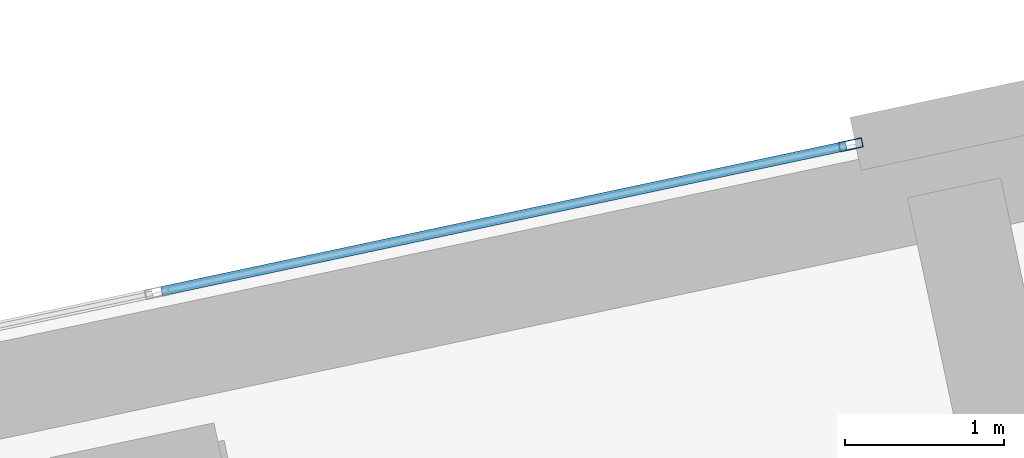
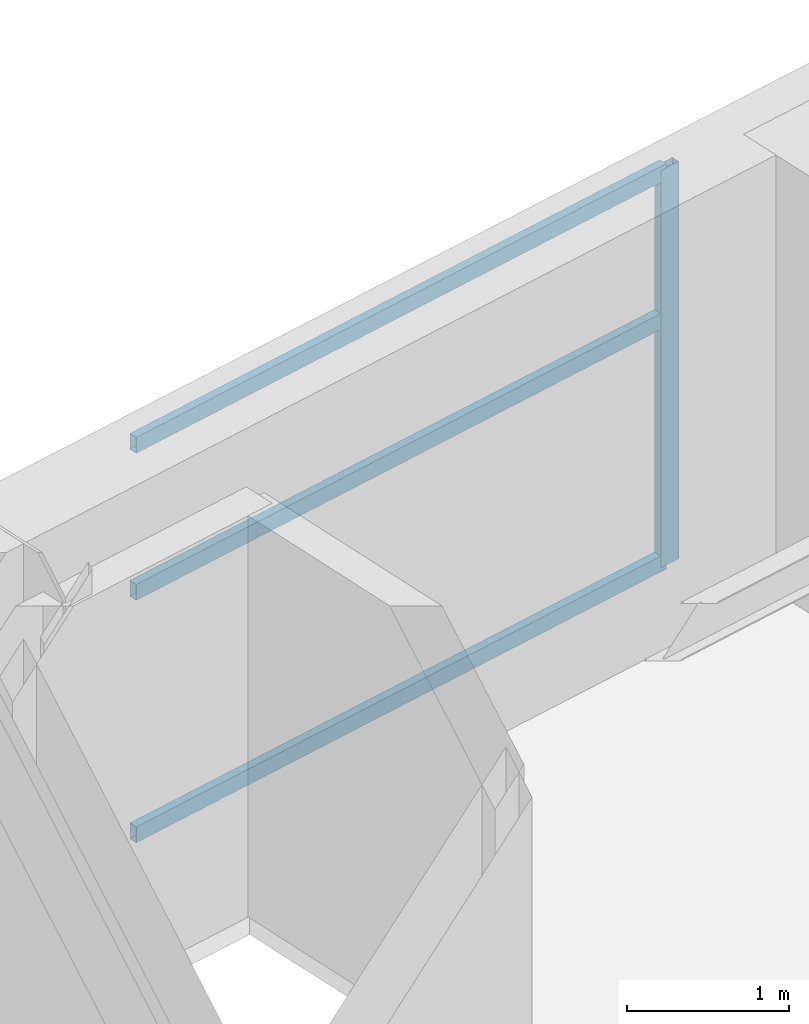
# One storey, part 7 of 25: 4 members, 1 element without a shape of its own.
"""IFC4 building model written with IfcOpenShell, lengths in metres."""

from ifc_helpers import new_model, si_unit, direction, frame, origin, origin_2d, place, context, subcontext, project, spatial, hollow_rectangle, extrude, material, layer, layer_set, material_profile, profile_set, type_object, element, aggregate, save


model = new_model("IFC4")

# Units and contexts
model_context = context("Model", 3, precision=1e-05, world=origin(), true_north=direction((0.0, 1.0)))
body_context = subcontext(model_context, "Body", "Model", "MODEL_VIEW")
ifc_project = project(units=[si_unit("LENGTHUNIT", "METRE"), si_unit("AREAUNIT", "SQUARE_METRE"), si_unit("VOLUMEUNIT", "CUBIC_METRE"), si_unit("PLANEANGLEUNIT", "RADIAN"), si_unit("MASSUNIT", "GRAM", prefix="KILO")], contexts=[model_context])

# Site, building, storey
site_placement = place(None, origin())
site = spatial("IfcSite", under=ifc_project, at=site_placement, CompositionType="ELEMENT")
building_placement = place(site_placement, origin())
building = spatial("IfcBuilding", under=site, at=building_placement, Name="Haevon Station Towers", CompositionType="ELEMENT")
storey_placement = place(building_placement, frame((0.0, 0.0, 50.39990234375)))
storey = spatial("IfcBuildingStorey", under=building, at=storey_placement, Name="L12", CompositionType="ELEMENT", Elevation=50.39990234375)

# Curtain wall, members
ifc_material_1 = material(Name="Anodised aluminium and Low-E double glazing", Category="aluminium")
ifc_layer = layer(ifc_material_1, 0.179931640625)
ifc_layer_set = layer_set([ifc_layer], Name="Anodised aluminium and Low-E double glazing")
curtain_wall_type = type_object("IfcCurtainWallType", Name="CW-SYS5", PredefinedType="NOTDEFINED", material=ifc_layer_set)
curtain_wall_placement = place(storey_placement, origin())
curtain_wall = element("IfcCurtainWall", 1, at=curtain_wall_placement, inside=storey, type_object=curtain_wall_type, Name="L12 Curtain Wall CW-T2-L12-N", PredefinedType="NOTDEFINED")
ifc_material_2 = material(Name="Anodised aluminium 6063-T6", Category="aluminium")
ifc_material_profile_1 = material_profile(ifc_material_2, hollow_rectangle(XDim=0.06005859375, YDim=0.14990234375, WallThickness=0.00341796875, at=origin_2d()), Name="CWM-150x60x3.5")
ifc_profile_set_1 = profile_set([ifc_material_profile_1], Name="Anodised aluminium 6063-T6")
member_type_1 = type_object("IfcMemberType", Name="CWM-150", PredefinedType="MULLION", material=ifc_profile_set_1)
member_1_placement = place(storey_placement, frame((112.783203125, 50.648193359375, 0.0), z_axis=(0.0, 0.0, 1.0), x_axis=(-0.207911783211, 0.978147581095, 0.0)))
member_1 = element("IfcMember", 2, at=member_1_placement, type_object=member_type_1, Name="CW-SYS5 mullion 3", PredefinedType="MULLION", context=body_context, shape_type="SweptSolid", body=[
    extrude(hollow_rectangle(XDim=0.06005859375, YDim=0.14990234375, WallThickness=0.00341796875, at=origin_2d()), origin(), (0.0, 0.0, 1.0), 3.0),
])
ifc_material_profile_2 = material_profile(ifc_material_2, hollow_rectangle(XDim=0.06005859375, YDim=0.1201171875, WallThickness=0.0029296875, at=origin_2d()), Name="CWT-120x60x3")
ifc_profile_set_2 = profile_set([ifc_material_profile_2], Name="Anodised aluminium 6063-T6")
member_type_2 = type_object("IfcMemberType", Name="CWT-120", PredefinedType="USERDEFINED", material=ifc_profile_set_2)
member_2_placement = place(storey_placement, frame((108.4404296875, 49.72509765625, 0.030029296875), z_axis=(0.9781526595, 0.207887889768, 0.0), x_axis=(-0.207887889768, 0.9781526595, 0.0)))
member_2 = element("IfcMember", 3, at=member_2_placement, type_object=member_type_2, Name="CW-SYS5 transom 2.1", ObjectType="TRANSOM", PredefinedType="USERDEFINED", context=body_context, shape_type="SweptSolid", body=[
    extrude(hollow_rectangle(XDim=0.06005859375, YDim=0.1201171875, WallThickness=0.0029296875, at=origin_2d()), origin(), (0.0, 0.0, 1.0), 4.409912109375),
])
member_3_placement = place(storey_placement, frame((108.4404296875, 49.72509765625, 1.860107421875), z_axis=(0.9781526595, 0.207887889768, 0.0), x_axis=(-0.207887889768, 0.9781526595, 0.0)))
member_3 = element("IfcMember", 4, at=member_3_placement, type_object=member_type_2, Name="CW-SYS5 transom 2.2", ObjectType="TRANSOM", PredefinedType="USERDEFINED", context=body_context, shape_type="SweptSolid", body=[
    extrude(hollow_rectangle(XDim=0.06005859375, YDim=0.1201171875, WallThickness=0.0029296875, at=origin_2d()), origin(), (0.0, 0.0, 1.0), 4.409912109375),
])
member_4_placement = place(storey_placement, frame((108.4404296875, 49.72509765625, 2.97021484375), z_axis=(0.9781526595, 0.207887889768, 0.0), x_axis=(-0.207887889768, 0.9781526595, 0.0)))
member_4 = element("IfcMember", 5, at=member_4_placement, type_object=member_type_2, Name="CW-SYS5 transom 2.3", ObjectType="TRANSOM", PredefinedType="USERDEFINED", context=body_context, shape_type="SweptSolid", body=[
    extrude(hollow_rectangle(XDim=0.06005859375, YDim=0.1201171875, WallThickness=0.0029296875, at=origin_2d()), origin(), (0.0, 0.0, 1.0), 4.409912109375),
])
aggregate(curtain_wall, [member_1, member_2, member_3, member_4])

save(model, "model.ifc")
